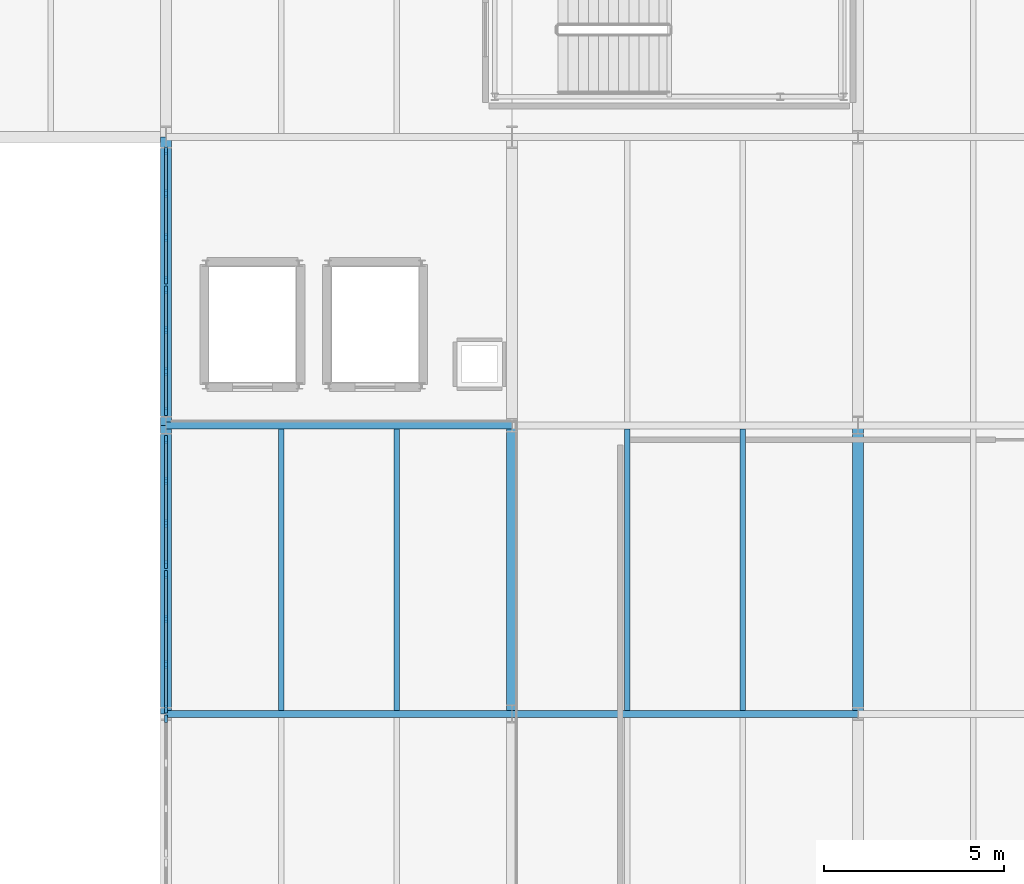
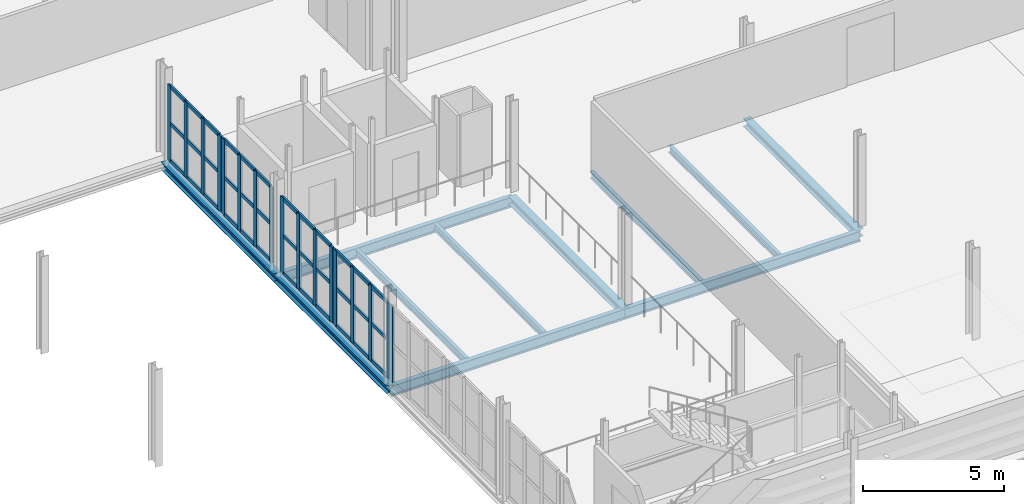
# One storey, part 36 of 78: 53 members, 11 beams, 5 elements without a shape of their own.
"""IFC4 building model written with IfcOpenShell, lengths in metres."""

from ifc_helpers import new_model, si_unit, direction, frame, origin, origin_2d, place, context, subcontext, project, spatial, rectangle, i_section, extrude, material, layer, layer_set, material_profile, profile_set, type_object, element, aggregate, save


model = new_model("IFC4")

# Units and contexts
model_context = context("Model", 3, precision=1e-05, world=origin(), true_north=direction((0.0, 1.0)))
body_context = subcontext(model_context, "Body", "Model", "MODEL_VIEW")
ifc_project = project(units=[si_unit("LENGTHUNIT", "METRE"), si_unit("AREAUNIT", "SQUARE_METRE"), si_unit("VOLUMEUNIT", "CUBIC_METRE"), si_unit("PLANEANGLEUNIT", "RADIAN"), si_unit("MASSUNIT", "GRAM", prefix="KILO")], contexts=[model_context])

# Site, building, storey
site_placement = place(None, origin())
site = spatial("IfcSite", under=ifc_project, at=site_placement, CompositionType="ELEMENT")
building_placement = place(site_placement, origin())
building = spatial("IfcBuilding", under=site, at=building_placement, Name="Alderhovde Museum", CompositionType="ELEMENT")
storey_placement = place(building_placement, frame((0.0, 0.0, 4.5)))
storey = spatial("IfcBuildingStorey", under=building, at=storey_placement, Name="L01", CompositionType="ELEMENT", Elevation=4.5)

# Beams
ifc_material_1 = material(Name="Steel S355J2", Category="steel")
ifc_material_profile_1 = material_profile(ifc_material_1, i_section(OverallWidth=0.300048828125, OverallDepth=0.330078125, WebThickness=0.009521484375, FlangeThickness=0.0166015625, FilletRadius=0.027099609375, at=origin_2d()), Name="HEA 340")
ifc_profile_set_1 = profile_set([ifc_material_profile_1], Name="Steel S355J2")
beam_type_1 = type_object("IfcBeamType", Name="BM-HEA340", PredefinedType="BEAM", material=ifc_profile_set_1)
for number, where, z_axis, x_axis, name in (
    (1, (19.199951171875, 64.0, -0.425048828125), (0.0, 1.0, 0.0), (-1.0, 0.0, 0.0), "L01 Grid Beam X=19.2 (64.0 TO 72.0)"),
    (2, (19.199951171875, 72.0, -0.425048828125), (0.0, 1.0, 0.0), (-1.0, 0.0, 0.0), "L01 Grid Beam X=19.2 (72.0 TO 80.0)"),
    (3, (28.800048828125, 64.0, -0.425048828125), (0.0, 1.0, 0.0), (-1.0, 0.0, 0.0), "L01 Grid Beam X=28.8 (64.0 TO 72.0)"),
    (4, (38.39990234375, 64.0, -0.425048828125), (0.0, 1.0, 0.0), (-1.0, 0.0, 0.0), "L01 Grid Beam X=38.4 (64.0 TO 72.0)"),
):
    element("IfcBeam", number, at=place(storey_placement, frame(where, z_axis=z_axis, x_axis=x_axis)), inside=storey, type_object=beam_type_1, Name=name, PredefinedType="BEAM", context=body_context, shape_type="SweptSolid", body=[
        extrude(i_section(OverallWidth=0.300048828125, OverallDepth=0.330078125, WebThickness=0.009521484375, FlangeThickness=0.0166015625, FilletRadius=0.027099609375, at=origin_2d()), origin(), (0.0, 0.0, 1.0), 8.0),
    ])
ifc_material_2 = material(Name="Steel S355J2", Category="steel")
ifc_material_profile_2 = material_profile(ifc_material_2, i_section(OverallWidth=0.18994140625, OverallDepth=0.449951171875, WebThickness=0.009521484375, FlangeThickness=0.0146484375, FilletRadius=0.02099609375, at=origin_2d()), Name="IPE 450")
ifc_profile_set_2 = profile_set([ifc_material_profile_2], Name="Steel S355J2")
beam_type_2 = type_object("IfcBeamType", Name="BM-IPE450", PredefinedType="BEAM", material=ifc_profile_set_2)
beam_1_placement = place(storey_placement, frame((19.199951171875, 64.0, -0.485107421875), z_axis=(1.0, 0.0, 0.0), x_axis=(0.0, 1.0, 0.0)))
element("IfcBeam", 5, at=beam_1_placement, inside=storey, type_object=beam_type_2, Name="L01 Grid Beam Y=64.0 (19.2 TO 28.8)", PredefinedType="BEAM", context=body_context, shape_type="SweptSolid", body=[
    extrude(i_section(OverallWidth=0.18994140625, OverallDepth=0.449951171875, WebThickness=0.009521484375, FlangeThickness=0.0146484375, FilletRadius=0.02099609375, at=origin_2d()), origin(), (0.0, 0.0, 1.0), 9.60009765625),
])
beam_2_placement = place(storey_placement, frame((28.800048828125, 64.0, -0.485107421875), z_axis=(1.0, 0.0, 0.0), x_axis=(0.0, 1.0, 0.0)))
element("IfcBeam", 6, at=beam_2_placement, inside=storey, type_object=beam_type_2, Name="L01 Grid Beam Y=64.0 (28.8 TO 38.4)", PredefinedType="BEAM", context=body_context, shape_type="SweptSolid", body=[
    extrude(i_section(OverallWidth=0.18994140625, OverallDepth=0.449951171875, WebThickness=0.009521484375, FlangeThickness=0.0146484375, FilletRadius=0.02099609375, at=origin_2d()), origin(), (0.0, 0.0, 1.0), 9.599853515625),
])
beam_3_placement = place(storey_placement, frame((19.199951171875, 72.0, -0.485107421875), z_axis=(1.0, 0.0, 0.0), x_axis=(0.0, 1.0, 0.0)))
element("IfcBeam", 7, at=beam_3_placement, inside=storey, type_object=beam_type_2, Name="L01 Grid Beam Y=72.0 (19.2 TO 28.8)", PredefinedType="BEAM", context=body_context, shape_type="SweptSolid", body=[
    extrude(i_section(OverallWidth=0.18994140625, OverallDepth=0.449951171875, WebThickness=0.009521484375, FlangeThickness=0.0146484375, FilletRadius=0.02099609375, at=origin_2d()), origin(), (0.0, 0.0, 1.0), 9.60009765625),
])

# Curtain wall, members
ifc_material_3 = material(Name="Triple-Glazed Bronze-Anodised Curtain Wall", Category="glass")
ifc_layer_1 = layer(ifc_material_3, 0.219970703125)
ifc_layer_set_1 = layer_set([ifc_layer_1], Name="Triple-Glazed Bronze-Anodised Curtain Wall")
curtain_wall_type_1 = type_object("IfcCurtainWallType", Name="CW-STIC-345x326", PredefinedType="USERDEFINED", material=ifc_layer_set_1)
curtain_wall_1_placement = place(storey_placement, origin())
curtain_wall_1 = element("IfcCurtainWall", 8, at=curtain_wall_1_placement, inside=storey, type_object=curtain_wall_type_1, Name="L01 Stick Curtain Wall 5", ObjectType="STICK CURTAIN WALL", PredefinedType="USERDEFINED")
ifc_material_4 = material(Name="Bronze-Anodised Aluminium EN AW-6063-T6", Category="aluminium")
ifc_material_profile_3 = material_profile(ifc_material_4, rectangle(XDim=0.074951171875, YDim=0.219970703125, at=origin_2d()), Name="MULLION 75x220")
ifc_profile_set_3 = profile_set([ifc_material_profile_3], Name="Bronze-Anodised Aluminium EN AW-6063-T6")
member_type_1 = type_object("IfcMemberType", Name="CWM-75x220", PredefinedType="MULLION", material=ifc_profile_set_3)
member_1_placement = place(storey_placement, frame((19.199951171875, 72.387451171875, 0.0), z_axis=(0.0, 0.0, 1.0), x_axis=(-1.0, 0.0, 0.0)))
member_1 = element("IfcMember", 9, at=member_1_placement, type_object=member_type_1, Name="CW03 mullion 1", PredefinedType="MULLION", context=body_context, shape_type="SweptSolid", body=[
    extrude(rectangle(XDim=0.074951171875, YDim=0.219970703125, at=origin_2d()), origin(), (0.0, 0.0, 1.0), 3.260009765625),
])
member_2_placement = place(storey_placement, frame((19.199951171875, 73.5, 0.0), z_axis=(0.0, 0.0, 1.0), x_axis=(-1.0, 0.0, 0.0)))
member_2 = element("IfcMember", 10, at=member_2_placement, type_object=member_type_1, Name="CW03 mullion 2", PredefinedType="MULLION", context=body_context, shape_type="SweptSolid", body=[
    extrude(rectangle(XDim=0.074951171875, YDim=0.219970703125, at=origin_2d()), origin(), (0.0, 0.0, 1.0), 3.260009765625),
])
member_3_placement = place(storey_placement, frame((19.199951171875, 74.64990234375, 0.0), z_axis=(0.0, 0.0, 1.0), x_axis=(-1.0, 0.0, 0.0)))
member_3 = element("IfcMember", 11, at=member_3_placement, type_object=member_type_1, Name="CW03 mullion 3", PredefinedType="MULLION", context=body_context, shape_type="SweptSolid", body=[
    extrude(rectangle(XDim=0.074951171875, YDim=0.219970703125, at=origin_2d()), origin(), (0.0, 0.0, 1.0), 3.260009765625),
])
member_4_placement = place(storey_placement, frame((19.199951171875, 75.762451171875, 0.0), z_axis=(0.0, 0.0, 1.0), x_axis=(-1.0, 0.0, 0.0)))
member_4 = element("IfcMember", 12, at=member_4_placement, type_object=member_type_1, Name="CW03 mullion 4", PredefinedType="MULLION", context=body_context, shape_type="SweptSolid", body=[
    extrude(rectangle(XDim=0.074951171875, YDim=0.219970703125, at=origin_2d()), origin(), (0.0, 0.0, 1.0), 3.260009765625),
])

ifc_material_5 = material(Name="Triple-Glazed Bronze-Anodised Curtain Wall", Category="glass")
ifc_layer_2 = layer(ifc_material_5, 0.219970703125)
ifc_layer_set_2 = layer_set([ifc_layer_2], Name="Triple-Glazed Bronze-Anodised Curtain Wall")
curtain_wall_type_2 = type_object("IfcCurtainWallType", Name="CW-STIC-365x326", PredefinedType="USERDEFINED", material=ifc_layer_set_2)
curtain_wall_2_placement = place(storey_placement, origin())
curtain_wall_2 = element("IfcCurtainWall", 13, at=curtain_wall_2_placement, inside=storey, type_object=curtain_wall_type_2, Name="L01 Stick Curtain Wall 6", ObjectType="STICK CURTAIN WALL", PredefinedType="USERDEFINED")
member_5_placement = place(storey_placement, frame((19.199951171875, 76.03759765625, 0.0), z_axis=(0.0, 0.0, 1.0), x_axis=(-1.0, 0.0, 0.0)))
member_5 = element("IfcMember", 14, at=member_5_placement, type_object=member_type_1, Name="CW04 mullion 1", PredefinedType="MULLION", context=body_context, shape_type="SweptSolid", body=[
    extrude(rectangle(XDim=0.074951171875, YDim=0.219970703125, at=origin_2d()), origin(), (0.0, 0.0, 1.0), 3.260009765625),
])
member_6_placement = place(storey_placement, frame((19.199951171875, 77.216552734375, 0.0), z_axis=(0.0, 0.0, 1.0), x_axis=(-1.0, 0.0, 0.0)))
member_6 = element("IfcMember", 15, at=member_6_placement, type_object=member_type_1, Name="CW04 mullion 2", PredefinedType="MULLION", context=body_context, shape_type="SweptSolid", body=[
    extrude(rectangle(XDim=0.074951171875, YDim=0.219970703125, at=origin_2d()), origin(), (0.0, 0.0, 1.0), 3.260009765625),
])
member_7_placement = place(storey_placement, frame((19.199951171875, 78.433349609375, 0.0), z_axis=(0.0, 0.0, 1.0), x_axis=(-1.0, 0.0, 0.0)))
member_7 = element("IfcMember", 16, at=member_7_placement, type_object=member_type_1, Name="CW04 mullion 3", PredefinedType="MULLION", context=body_context, shape_type="SweptSolid", body=[
    extrude(rectangle(XDim=0.074951171875, YDim=0.219970703125, at=origin_2d()), origin(), (0.0, 0.0, 1.0), 3.260009765625),
])
member_8_placement = place(storey_placement, frame((19.199951171875, 79.612548828125, 0.0), z_axis=(0.0, 0.0, 1.0), x_axis=(-1.0, 0.0, 0.0)))
member_8 = element("IfcMember", 17, at=member_8_placement, type_object=member_type_1, Name="CW04 mullion 4", PredefinedType="MULLION", context=body_context, shape_type="SweptSolid", body=[
    extrude(rectangle(XDim=0.074951171875, YDim=0.219970703125, at=origin_2d()), origin(), (0.0, 0.0, 1.0), 3.260009765625),
])

# Curtain wall, member
ifc_material_6 = material(Name="Triple-Glazed Bronze-Anodised Curtain Wall", Category="glass")
ifc_layer_3 = layer(ifc_material_6, 0.219970703125)
ifc_layer_set_3 = layer_set([ifc_layer_3], Name="Triple-Glazed Bronze-Anodised Curtain Wall")
curtain_wall_type_3 = type_object("IfcCurtainWallType", Name="CW-STIC-380x326", PredefinedType="USERDEFINED", material=ifc_layer_set_3)
curtain_wall_3_placement = place(storey_placement, origin())
curtain_wall_3 = element("IfcCurtainWall", 18, at=curtain_wall_3_placement, inside=storey, type_object=curtain_wall_type_3, Name="L01 Stick Curtain Wall 8", ObjectType="STICK CURTAIN WALL", PredefinedType="USERDEFINED")
member_9_placement = place(storey_placement, frame((19.199951171875, 63.862548828125, 0.0), z_axis=(0.0, 0.0, 1.0), x_axis=(-1.0, 0.0, 0.0)))
member_9 = element("IfcMember", 19, at=member_9_placement, type_object=member_type_1, Name="CW06 mullion 4", PredefinedType="MULLION", context=body_context, shape_type="SweptSolid", body=[
    extrude(rectangle(XDim=0.074951171875, YDim=0.219970703125, at=origin_2d()), origin(), (0.0, 0.0, 1.0), 3.260009765625),
])
aggregate(curtain_wall_3, [member_9])

# Curtain wall, members
curtain_wall_4_placement = place(storey_placement, origin())
curtain_wall_4 = element("IfcCurtainWall", 20, at=curtain_wall_4_placement, inside=storey, type_object=curtain_wall_type_3, Name="L01 Stick Curtain Wall 9", ObjectType="STICK CURTAIN WALL", PredefinedType="USERDEFINED")
member_10_placement = place(storey_placement, frame((19.199951171875, 64.137451171875, 0.0), z_axis=(0.0, 0.0, 1.0), x_axis=(-1.0, 0.0, 0.0)))
member_10 = element("IfcMember", 21, at=member_10_placement, type_object=member_type_1, Name="CW06 mullion 1", PredefinedType="MULLION", context=body_context, shape_type="SweptSolid", body=[
    extrude(rectangle(XDim=0.074951171875, YDim=0.219970703125, at=origin_2d()), origin(), (0.0, 0.0, 1.0), 3.260009765625),
])
member_11_placement = place(storey_placement, frame((19.199951171875, 65.36669921875, 0.0), z_axis=(0.0, 0.0, 1.0), x_axis=(-1.0, 0.0, 0.0)))
member_11 = element("IfcMember", 22, at=member_11_placement, type_object=member_type_1, Name="CW06 mullion 2", PredefinedType="MULLION", context=body_context, shape_type="SweptSolid", body=[
    extrude(rectangle(XDim=0.074951171875, YDim=0.219970703125, at=origin_2d()), origin(), (0.0, 0.0, 1.0), 3.260009765625),
])
member_12_placement = place(storey_placement, frame((19.199951171875, 66.63330078125, 0.0), z_axis=(0.0, 0.0, 1.0), x_axis=(-1.0, 0.0, 0.0)))
member_12 = element("IfcMember", 23, at=member_12_placement, type_object=member_type_1, Name="CW06 mullion 3", PredefinedType="MULLION", context=body_context, shape_type="SweptSolid", body=[
    extrude(rectangle(XDim=0.074951171875, YDim=0.219970703125, at=origin_2d()), origin(), (0.0, 0.0, 1.0), 3.260009765625),
])
member_13_placement = place(storey_placement, frame((19.199951171875, 67.862548828125, 0.0), z_axis=(0.0, 0.0, 1.0), x_axis=(-1.0, 0.0, 0.0)))
member_13 = element("IfcMember", 24, at=member_13_placement, type_object=member_type_1, Name="CW06 mullion 4", PredefinedType="MULLION", context=body_context, shape_type="SweptSolid", body=[
    extrude(rectangle(XDim=0.074951171875, YDim=0.219970703125, at=origin_2d()), origin(), (0.0, 0.0, 1.0), 3.260009765625),
])

ifc_material_7 = material(Name="Triple-Glazed Bronze-Anodised Curtain Wall", Category="glass")
ifc_layer_4 = layer(ifc_material_7, 0.219970703125)
ifc_layer_set_4 = layer_set([ifc_layer_4], Name="Triple-Glazed Bronze-Anodised Curtain Wall")
curtain_wall_type_4 = type_object("IfcCurtainWallType", Name="CW-STIC-355x326", PredefinedType="USERDEFINED", material=ifc_layer_set_4)
curtain_wall_5_placement = place(storey_placement, origin())
curtain_wall_5 = element("IfcCurtainWall", 25, at=curtain_wall_5_placement, inside=storey, type_object=curtain_wall_type_4, Name="L01 Stick Curtain Wall 10", ObjectType="STICK CURTAIN WALL", PredefinedType="USERDEFINED")
member_14_placement = place(storey_placement, frame((19.199951171875, 68.137451171875, 0.0), z_axis=(0.0, 0.0, 1.0), x_axis=(-1.0, 0.0, 0.0)))
member_14 = element("IfcMember", 26, at=member_14_placement, type_object=member_type_1, Name="CW05 mullion 1", PredefinedType="MULLION", context=body_context, shape_type="SweptSolid", body=[
    extrude(rectangle(XDim=0.074951171875, YDim=0.219970703125, at=origin_2d()), origin(), (0.0, 0.0, 1.0), 3.260009765625),
])
member_15_placement = place(storey_placement, frame((19.199951171875, 69.283447265625, 0.0), z_axis=(0.0, 0.0, 1.0), x_axis=(-1.0, 0.0, 0.0)))
member_15 = element("IfcMember", 27, at=member_15_placement, type_object=member_type_1, Name="CW05 mullion 2", PredefinedType="MULLION", context=body_context, shape_type="SweptSolid", body=[
    extrude(rectangle(XDim=0.074951171875, YDim=0.219970703125, at=origin_2d()), origin(), (0.0, 0.0, 1.0), 3.260009765625),
])
member_16_placement = place(storey_placement, frame((19.199951171875, 70.466552734375, 0.0), z_axis=(0.0, 0.0, 1.0), x_axis=(-1.0, 0.0, 0.0)))
member_16 = element("IfcMember", 28, at=member_16_placement, type_object=member_type_1, Name="CW05 mullion 3", PredefinedType="MULLION", context=body_context, shape_type="SweptSolid", body=[
    extrude(rectangle(XDim=0.074951171875, YDim=0.219970703125, at=origin_2d()), origin(), (0.0, 0.0, 1.0), 3.260009765625),
])
member_17_placement = place(storey_placement, frame((19.199951171875, 71.612548828125, 0.0), z_axis=(0.0, 0.0, 1.0), x_axis=(-1.0, 0.0, 0.0)))
member_17 = element("IfcMember", 29, at=member_17_placement, type_object=member_type_1, Name="CW05 mullion 4", PredefinedType="MULLION", context=body_context, shape_type="SweptSolid", body=[
    extrude(rectangle(XDim=0.074951171875, YDim=0.219970703125, at=origin_2d()), origin(), (0.0, 0.0, 1.0), 3.260009765625),
])

# Member
ifc_material_8 = material(Name="Bronze-Anodised Aluminium EN AW-6063-T6", Category="aluminium")
ifc_material_profile_4 = material_profile(ifc_material_8, rectangle(XDim=0.074951171875, YDim=0.159912109375, at=origin_2d()), Name="TRANSOM 75x160")
ifc_profile_set_4 = profile_set([ifc_material_profile_4], Name="Bronze-Anodised Aluminium EN AW-6063-T6")
member_type_2 = type_object("IfcMemberType", Name="CWT-75x160", PredefinedType="USERDEFINED", material=ifc_profile_set_4)
member_18_placement = place(storey_placement, frame((19.199951171875, 72.425048828125, 0.03759765625), z_axis=(0.0, 1.0, 0.0), x_axis=(-1.0, 0.0, 0.0)))
member_18 = element("IfcMember", 30, at=member_18_placement, type_object=member_type_2, Name="CW03 transom 1.1", ObjectType="TRANSOM", PredefinedType="USERDEFINED", context=body_context, shape_type="SweptSolid", body=[
    extrude(rectangle(XDim=0.074951171875, YDim=0.159912109375, at=origin_2d()), origin(), (0.0, 0.0, 1.0), 1.037353515625),
])

member_19_placement = place(storey_placement, frame((19.199951171875, 72.425048828125, 1.6298828125), z_axis=(0.0, 1.0, 0.0), x_axis=(-1.0, 0.0, 0.0)))
member_19 = element("IfcMember", 31, at=member_19_placement, type_object=member_type_2, Name="CW03 transom 1.2", ObjectType="TRANSOM", PredefinedType="USERDEFINED", context=body_context, shape_type="SweptSolid", body=[
    extrude(rectangle(XDim=0.074951171875, YDim=0.159912109375, at=origin_2d()), origin(), (0.0, 0.0, 1.0), 1.037353515625),
])

member_20_placement = place(storey_placement, frame((19.199951171875, 72.425048828125, 3.222412109375), z_axis=(0.0, 1.0, 0.0), x_axis=(-1.0, 0.0, 0.0)))
member_20 = element("IfcMember", 32, at=member_20_placement, type_object=member_type_2, Name="CW03 transom 1.3", ObjectType="TRANSOM", PredefinedType="USERDEFINED", context=body_context, shape_type="SweptSolid", body=[
    extrude(rectangle(XDim=0.074951171875, YDim=0.159912109375, at=origin_2d()), origin(), (0.0, 0.0, 1.0), 1.037353515625),
])

member_21_placement = place(storey_placement, frame((19.199951171875, 73.53759765625, 0.03759765625), z_axis=(0.0, 1.0, 0.0), x_axis=(-1.0, 0.0, 0.0)))
member_21 = element("IfcMember", 33, at=member_21_placement, type_object=member_type_2, Name="CW03 transom 2.1", ObjectType="TRANSOM", PredefinedType="USERDEFINED", context=body_context, shape_type="SweptSolid", body=[
    extrude(rectangle(XDim=0.074951171875, YDim=0.159912109375, at=origin_2d()), origin(), (0.0, 0.0, 1.0), 1.074951171875),
])

member_22_placement = place(storey_placement, frame((19.199951171875, 73.53759765625, 1.6298828125), z_axis=(0.0, 1.0, 0.0), x_axis=(-1.0, 0.0, 0.0)))
member_22 = element("IfcMember", 34, at=member_22_placement, type_object=member_type_2, Name="CW03 transom 2.2", ObjectType="TRANSOM", PredefinedType="USERDEFINED", context=body_context, shape_type="SweptSolid", body=[
    extrude(rectangle(XDim=0.074951171875, YDim=0.159912109375, at=origin_2d()), origin(), (0.0, 0.0, 1.0), 1.074951171875),
])

member_23_placement = place(storey_placement, frame((19.199951171875, 73.53759765625, 3.222412109375), z_axis=(0.0, 1.0, 0.0), x_axis=(-1.0, 0.0, 0.0)))
member_23 = element("IfcMember", 35, at=member_23_placement, type_object=member_type_2, Name="CW03 transom 2.3", ObjectType="TRANSOM", PredefinedType="USERDEFINED", context=body_context, shape_type="SweptSolid", body=[
    extrude(rectangle(XDim=0.074951171875, YDim=0.159912109375, at=origin_2d()), origin(), (0.0, 0.0, 1.0), 1.074951171875),
])

member_24_placement = place(storey_placement, frame((19.199951171875, 74.6875, 0.03759765625), z_axis=(0.0, 1.0, 0.0), x_axis=(-1.0, 0.0, 0.0)))
member_24 = element("IfcMember", 36, at=member_24_placement, type_object=member_type_2, Name="CW03 transom 3.1", ObjectType="TRANSOM", PredefinedType="USERDEFINED", context=body_context, shape_type="SweptSolid", body=[
    extrude(rectangle(XDim=0.074951171875, YDim=0.159912109375, at=origin_2d()), origin(), (0.0, 0.0, 1.0), 1.03759765625),
])

member_25_placement = place(storey_placement, frame((19.199951171875, 74.6875, 1.6298828125), z_axis=(0.0, 1.0, 0.0), x_axis=(-1.0, 0.0, 0.0)))
member_25 = element("IfcMember", 37, at=member_25_placement, type_object=member_type_2, Name="CW03 transom 3.2", ObjectType="TRANSOM", PredefinedType="USERDEFINED", context=body_context, shape_type="SweptSolid", body=[
    extrude(rectangle(XDim=0.074951171875, YDim=0.159912109375, at=origin_2d()), origin(), (0.0, 0.0, 1.0), 1.03759765625),
])

member_26_placement = place(storey_placement, frame((19.199951171875, 74.6875, 3.222412109375), z_axis=(0.0, 1.0, 0.0), x_axis=(-1.0, 0.0, 0.0)))
member_26 = element("IfcMember", 38, at=member_26_placement, type_object=member_type_2, Name="CW03 transom 3.3", ObjectType="TRANSOM", PredefinedType="USERDEFINED", context=body_context, shape_type="SweptSolid", body=[
    extrude(rectangle(XDim=0.074951171875, YDim=0.159912109375, at=origin_2d()), origin(), (0.0, 0.0, 1.0), 1.03759765625),
])

aggregate(curtain_wall_1, [member_1, member_2, member_3, member_4, member_18, member_19, member_20, member_21, member_22, member_23, member_24, member_25, member_26])

member_27_placement = place(storey_placement, frame((19.199951171875, 76.074951171875, 0.03759765625), z_axis=(0.0, 1.0, 0.0), x_axis=(-1.0, 0.0, 0.0)))
member_27 = element("IfcMember", 39, at=member_27_placement, type_object=member_type_2, Name="CW04 transom 1.1", ObjectType="TRANSOM", PredefinedType="USERDEFINED", context=body_context, shape_type="SweptSolid", body=[
    extrude(rectangle(XDim=0.074951171875, YDim=0.159912109375, at=origin_2d()), origin(), (0.0, 0.0, 1.0), 1.104248046875),
])

member_28_placement = place(storey_placement, frame((19.199951171875, 76.074951171875, 1.6298828125), z_axis=(0.0, 1.0, 0.0), x_axis=(-1.0, 0.0, 0.0)))
member_28 = element("IfcMember", 40, at=member_28_placement, type_object=member_type_2, Name="CW04 transom 1.2", ObjectType="TRANSOM", PredefinedType="USERDEFINED", context=body_context, shape_type="SweptSolid", body=[
    extrude(rectangle(XDim=0.074951171875, YDim=0.159912109375, at=origin_2d()), origin(), (0.0, 0.0, 1.0), 1.104248046875),
])

member_29_placement = place(storey_placement, frame((19.199951171875, 76.074951171875, 3.222412109375), z_axis=(0.0, 1.0, 0.0), x_axis=(-1.0, 0.0, 0.0)))
member_29 = element("IfcMember", 41, at=member_29_placement, type_object=member_type_2, Name="CW04 transom 1.3", ObjectType="TRANSOM", PredefinedType="USERDEFINED", context=body_context, shape_type="SweptSolid", body=[
    extrude(rectangle(XDim=0.074951171875, YDim=0.159912109375, at=origin_2d()), origin(), (0.0, 0.0, 1.0), 1.104248046875),
])

member_30_placement = place(storey_placement, frame((19.199951171875, 77.254150390625, 0.03759765625), z_axis=(0.0, 1.0, 0.0), x_axis=(-1.0, 0.0, 0.0)))
member_30 = element("IfcMember", 42, at=member_30_placement, type_object=member_type_2, Name="CW04 transom 2.1", ObjectType="TRANSOM", PredefinedType="USERDEFINED", context=body_context, shape_type="SweptSolid", body=[
    extrude(rectangle(XDim=0.074951171875, YDim=0.159912109375, at=origin_2d()), origin(), (0.0, 0.0, 1.0), 1.1416015625),
])

member_31_placement = place(storey_placement, frame((19.199951171875, 77.254150390625, 1.6298828125), z_axis=(0.0, 1.0, 0.0), x_axis=(-1.0, 0.0, 0.0)))
member_31 = element("IfcMember", 43, at=member_31_placement, type_object=member_type_2, Name="CW04 transom 2.2", ObjectType="TRANSOM", PredefinedType="USERDEFINED", context=body_context, shape_type="SweptSolid", body=[
    extrude(rectangle(XDim=0.074951171875, YDim=0.159912109375, at=origin_2d()), origin(), (0.0, 0.0, 1.0), 1.1416015625),
])

member_32_placement = place(storey_placement, frame((19.199951171875, 77.254150390625, 3.222412109375), z_axis=(0.0, 1.0, 0.0), x_axis=(-1.0, 0.0, 0.0)))
member_32 = element("IfcMember", 44, at=member_32_placement, type_object=member_type_2, Name="CW04 transom 2.3", ObjectType="TRANSOM", PredefinedType="USERDEFINED", context=body_context, shape_type="SweptSolid", body=[
    extrude(rectangle(XDim=0.074951171875, YDim=0.159912109375, at=origin_2d()), origin(), (0.0, 0.0, 1.0), 1.1416015625),
])

member_33_placement = place(storey_placement, frame((19.199951171875, 78.470947265625, 0.03759765625), z_axis=(0.0, 1.0, 0.0), x_axis=(-1.0, 0.0, 0.0)))
member_33 = element("IfcMember", 45, at=member_33_placement, type_object=member_type_2, Name="CW04 transom 3.1", ObjectType="TRANSOM", PredefinedType="USERDEFINED", context=body_context, shape_type="SweptSolid", body=[
    extrude(rectangle(XDim=0.074951171875, YDim=0.159912109375, at=origin_2d()), origin(), (0.0, 0.0, 1.0), 1.10400390625),
])

member_34_placement = place(storey_placement, frame((19.199951171875, 78.470947265625, 1.6298828125), z_axis=(0.0, 1.0, 0.0), x_axis=(-1.0, 0.0, 0.0)))
member_34 = element("IfcMember", 46, at=member_34_placement, type_object=member_type_2, Name="CW04 transom 3.2", ObjectType="TRANSOM", PredefinedType="USERDEFINED", context=body_context, shape_type="SweptSolid", body=[
    extrude(rectangle(XDim=0.074951171875, YDim=0.159912109375, at=origin_2d()), origin(), (0.0, 0.0, 1.0), 1.10400390625),
])

member_35_placement = place(storey_placement, frame((19.199951171875, 78.470947265625, 3.222412109375), z_axis=(0.0, 1.0, 0.0), x_axis=(-1.0, 0.0, 0.0)))
member_35 = element("IfcMember", 47, at=member_35_placement, type_object=member_type_2, Name="CW04 transom 3.3", ObjectType="TRANSOM", PredefinedType="USERDEFINED", context=body_context, shape_type="SweptSolid", body=[
    extrude(rectangle(XDim=0.074951171875, YDim=0.159912109375, at=origin_2d()), origin(), (0.0, 0.0, 1.0), 1.10400390625),
])

aggregate(curtain_wall_2, [member_5, member_6, member_7, member_8, member_27, member_28, member_29, member_30, member_31, member_32, member_33, member_34, member_35])

member_36_placement = place(storey_placement, frame((19.199951171875, 64.175048828125, 0.03759765625), z_axis=(0.0, 1.0, 0.0), x_axis=(-1.0, 0.0, 0.0)))
member_36 = element("IfcMember", 48, at=member_36_placement, type_object=member_type_2, Name="CW06 transom 1.1", ObjectType="TRANSOM", PredefinedType="USERDEFINED", context=body_context, shape_type="SweptSolid", body=[
    extrude(rectangle(XDim=0.074951171875, YDim=0.159912109375, at=origin_2d()), origin(), (0.0, 0.0, 1.0), 1.154052734375),
])

member_37_placement = place(storey_placement, frame((19.199951171875, 64.175048828125, 1.6298828125), z_axis=(0.0, 1.0, 0.0), x_axis=(-1.0, 0.0, 0.0)))
member_37 = element("IfcMember", 49, at=member_37_placement, type_object=member_type_2, Name="CW06 transom 1.2", ObjectType="TRANSOM", PredefinedType="USERDEFINED", context=body_context, shape_type="SweptSolid", body=[
    extrude(rectangle(XDim=0.074951171875, YDim=0.159912109375, at=origin_2d()), origin(), (0.0, 0.0, 1.0), 1.154052734375),
])

member_38_placement = place(storey_placement, frame((19.199951171875, 64.175048828125, 3.222412109375), z_axis=(0.0, 1.0, 0.0), x_axis=(-1.0, 0.0, 0.0)))
member_38 = element("IfcMember", 50, at=member_38_placement, type_object=member_type_2, Name="CW06 transom 1.3", ObjectType="TRANSOM", PredefinedType="USERDEFINED", context=body_context, shape_type="SweptSolid", body=[
    extrude(rectangle(XDim=0.074951171875, YDim=0.159912109375, at=origin_2d()), origin(), (0.0, 0.0, 1.0), 1.154052734375),
])

member_39_placement = place(storey_placement, frame((19.199951171875, 65.404052734375, 0.03759765625), z_axis=(0.0, 1.0, 0.0), x_axis=(-1.0, 0.0, 0.0)))
member_39 = element("IfcMember", 51, at=member_39_placement, type_object=member_type_2, Name="CW06 transom 2.1", ObjectType="TRANSOM", PredefinedType="USERDEFINED", context=body_context, shape_type="SweptSolid", body=[
    extrude(rectangle(XDim=0.074951171875, YDim=0.159912109375, at=origin_2d()), origin(), (0.0, 0.0, 1.0), 1.19189453125),
])

member_40_placement = place(storey_placement, frame((19.199951171875, 65.404052734375, 1.6298828125), z_axis=(0.0, 1.0, 0.0), x_axis=(-1.0, 0.0, 0.0)))
member_40 = element("IfcMember", 52, at=member_40_placement, type_object=member_type_2, Name="CW06 transom 2.2", ObjectType="TRANSOM", PredefinedType="USERDEFINED", context=body_context, shape_type="SweptSolid", body=[
    extrude(rectangle(XDim=0.074951171875, YDim=0.159912109375, at=origin_2d()), origin(), (0.0, 0.0, 1.0), 1.19189453125),
])

member_41_placement = place(storey_placement, frame((19.199951171875, 65.404052734375, 3.222412109375), z_axis=(0.0, 1.0, 0.0), x_axis=(-1.0, 0.0, 0.0)))
member_41 = element("IfcMember", 53, at=member_41_placement, type_object=member_type_2, Name="CW06 transom 2.3", ObjectType="TRANSOM", PredefinedType="USERDEFINED", context=body_context, shape_type="SweptSolid", body=[
    extrude(rectangle(XDim=0.074951171875, YDim=0.159912109375, at=origin_2d()), origin(), (0.0, 0.0, 1.0), 1.19189453125),
])

member_42_placement = place(storey_placement, frame((19.199951171875, 66.6708984375, 0.03759765625), z_axis=(0.0, 1.0, 0.0), x_axis=(-1.0, 0.0, 0.0)))
member_42 = element("IfcMember", 54, at=member_42_placement, type_object=member_type_2, Name="CW06 transom 3.1", ObjectType="TRANSOM", PredefinedType="USERDEFINED", context=body_context, shape_type="SweptSolid", body=[
    extrude(rectangle(XDim=0.074951171875, YDim=0.159912109375, at=origin_2d()), origin(), (0.0, 0.0, 1.0), 1.154052734375),
])

member_43_placement = place(storey_placement, frame((19.199951171875, 66.6708984375, 1.6298828125), z_axis=(0.0, 1.0, 0.0), x_axis=(-1.0, 0.0, 0.0)))
member_43 = element("IfcMember", 55, at=member_43_placement, type_object=member_type_2, Name="CW06 transom 3.2", ObjectType="TRANSOM", PredefinedType="USERDEFINED", context=body_context, shape_type="SweptSolid", body=[
    extrude(rectangle(XDim=0.074951171875, YDim=0.159912109375, at=origin_2d()), origin(), (0.0, 0.0, 1.0), 1.154052734375),
])

member_44_placement = place(storey_placement, frame((19.199951171875, 66.6708984375, 3.222412109375), z_axis=(0.0, 1.0, 0.0), x_axis=(-1.0, 0.0, 0.0)))
member_44 = element("IfcMember", 56, at=member_44_placement, type_object=member_type_2, Name="CW06 transom 3.3", ObjectType="TRANSOM", PredefinedType="USERDEFINED", context=body_context, shape_type="SweptSolid", body=[
    extrude(rectangle(XDim=0.074951171875, YDim=0.159912109375, at=origin_2d()), origin(), (0.0, 0.0, 1.0), 1.154052734375),
])

aggregate(curtain_wall_4, [member_10, member_11, member_12, member_13, member_36, member_37, member_38, member_39, member_40, member_41, member_42, member_43, member_44])

member_45_placement = place(storey_placement, frame((19.199951171875, 68.175048828125, 0.03759765625), z_axis=(0.0, 1.0, 0.0), x_axis=(-1.0, 0.0, 0.0)))
member_45 = element("IfcMember", 57, at=member_45_placement, type_object=member_type_2, Name="CW05 transom 1.1", ObjectType="TRANSOM", PredefinedType="USERDEFINED", context=body_context, shape_type="SweptSolid", body=[
    extrude(rectangle(XDim=0.074951171875, YDim=0.159912109375, at=origin_2d()), origin(), (0.0, 0.0, 1.0), 1.07080078125),
])

member_46_placement = place(storey_placement, frame((19.199951171875, 68.175048828125, 1.6298828125), z_axis=(0.0, 1.0, 0.0), x_axis=(-1.0, 0.0, 0.0)))
member_46 = element("IfcMember", 58, at=member_46_placement, type_object=member_type_2, Name="CW05 transom 1.2", ObjectType="TRANSOM", PredefinedType="USERDEFINED", context=body_context, shape_type="SweptSolid", body=[
    extrude(rectangle(XDim=0.074951171875, YDim=0.159912109375, at=origin_2d()), origin(), (0.0, 0.0, 1.0), 1.07080078125),
])

member_47_placement = place(storey_placement, frame((19.199951171875, 68.175048828125, 3.222412109375), z_axis=(0.0, 1.0, 0.0), x_axis=(-1.0, 0.0, 0.0)))
member_47 = element("IfcMember", 59, at=member_47_placement, type_object=member_type_2, Name="CW05 transom 1.3", ObjectType="TRANSOM", PredefinedType="USERDEFINED", context=body_context, shape_type="SweptSolid", body=[
    extrude(rectangle(XDim=0.074951171875, YDim=0.159912109375, at=origin_2d()), origin(), (0.0, 0.0, 1.0), 1.07080078125),
])

member_48_placement = place(storey_placement, frame((19.199951171875, 69.32080078125, 0.03759765625), z_axis=(0.0, 1.0, 0.0), x_axis=(-1.0, 0.0, 0.0)))
member_48 = element("IfcMember", 60, at=member_48_placement, type_object=member_type_2, Name="CW05 transom 2.1", ObjectType="TRANSOM", PredefinedType="USERDEFINED", context=body_context, shape_type="SweptSolid", body=[
    extrude(rectangle(XDim=0.074951171875, YDim=0.159912109375, at=origin_2d()), origin(), (0.0, 0.0, 1.0), 1.1083984375),
])

member_49_placement = place(storey_placement, frame((19.199951171875, 69.32080078125, 1.6298828125), z_axis=(0.0, 1.0, 0.0), x_axis=(-1.0, 0.0, 0.0)))
member_49 = element("IfcMember", 61, at=member_49_placement, type_object=member_type_2, Name="CW05 transom 2.2", ObjectType="TRANSOM", PredefinedType="USERDEFINED", context=body_context, shape_type="SweptSolid", body=[
    extrude(rectangle(XDim=0.074951171875, YDim=0.159912109375, at=origin_2d()), origin(), (0.0, 0.0, 1.0), 1.1083984375),
])

member_50_placement = place(storey_placement, frame((19.199951171875, 69.32080078125, 3.222412109375), z_axis=(0.0, 1.0, 0.0), x_axis=(-1.0, 0.0, 0.0)))
member_50 = element("IfcMember", 62, at=member_50_placement, type_object=member_type_2, Name="CW05 transom 2.3", ObjectType="TRANSOM", PredefinedType="USERDEFINED", context=body_context, shape_type="SweptSolid", body=[
    extrude(rectangle(XDim=0.074951171875, YDim=0.159912109375, at=origin_2d()), origin(), (0.0, 0.0, 1.0), 1.1083984375),
])

member_51_placement = place(storey_placement, frame((19.199951171875, 70.504150390625, 0.03759765625), z_axis=(0.0, 1.0, 0.0), x_axis=(-1.0, 0.0, 0.0)))
member_51 = element("IfcMember", 63, at=member_51_placement, type_object=member_type_2, Name="CW05 transom 3.1", ObjectType="TRANSOM", PredefinedType="USERDEFINED", context=body_context, shape_type="SweptSolid", body=[
    extrude(rectangle(XDim=0.074951171875, YDim=0.159912109375, at=origin_2d()), origin(), (0.0, 0.0, 1.0), 1.07080078125),
])

member_52_placement = place(storey_placement, frame((19.199951171875, 70.504150390625, 1.6298828125), z_axis=(0.0, 1.0, 0.0), x_axis=(-1.0, 0.0, 0.0)))
member_52 = element("IfcMember", 64, at=member_52_placement, type_object=member_type_2, Name="CW05 transom 3.2", ObjectType="TRANSOM", PredefinedType="USERDEFINED", context=body_context, shape_type="SweptSolid", body=[
    extrude(rectangle(XDim=0.074951171875, YDim=0.159912109375, at=origin_2d()), origin(), (0.0, 0.0, 1.0), 1.07080078125),
])

member_53_placement = place(storey_placement, frame((19.199951171875, 70.504150390625, 3.222412109375), z_axis=(0.0, 1.0, 0.0), x_axis=(-1.0, 0.0, 0.0)))
member_53 = element("IfcMember", 65, at=member_53_placement, type_object=member_type_2, Name="CW05 transom 3.3", ObjectType="TRANSOM", PredefinedType="USERDEFINED", context=body_context, shape_type="SweptSolid", body=[
    extrude(rectangle(XDim=0.074951171875, YDim=0.159912109375, at=origin_2d()), origin(), (0.0, 0.0, 1.0), 1.07080078125),
])

aggregate(curtain_wall_5, [member_14, member_15, member_16, member_17, member_45, member_46, member_47, member_48, member_49, member_50, member_51, member_52, member_53])

# Beams
ifc_material_9 = material(Name="Steel S355J2", Category="steel")
ifc_material_profile_5 = material_profile(ifc_material_9, i_section(OverallWidth=0.14990234375, OverallDepth=0.300048828125, WebThickness=0.007080078125, FlangeThickness=0.0107421875, FilletRadius=0.014892578125, at=origin_2d()), Name="IPE 300")
ifc_profile_set_5 = profile_set([ifc_material_profile_5], Name="Steel S355J2")
beam_type_3 = type_object("IfcBeamType", Name="JST-IPE300", PredefinedType="JOIST", material=ifc_profile_set_5)
for number, where, z_axis, x_axis, name in (
    (66, (22.39990234375, 64.094970703125, -0.409912109375), (0.0, 1.0, 0.0), (-1.0, 0.0, 0.0), "L01 Composite Joist X=22.4 (64.0 TO 72.0)"),
    (67, (25.60009765625, 64.094970703125, -0.409912109375), (0.0, 1.0, 0.0), (-1.0, 0.0, 0.0), "L01 Composite Joist X=25.6 (64.0 TO 72.0)"),
    (68, (32.0, 64.094970703125, -0.409912109375), (0.0, 1.0, 0.0), (-1.0, 0.0, 0.0), "L01 Composite Joist X=32.0 (64.0 TO 72.0)"),
    (69, (35.199951171875, 64.094970703125, -0.409912109375), (0.0, 1.0, 0.0), (-1.0, 0.0, 0.0), "L01 Composite Joist X=35.2 (64.0 TO 72.0)"),
):
    element("IfcBeam", number, at=place(storey_placement, frame(where, z_axis=z_axis, x_axis=x_axis)), inside=storey, type_object=beam_type_3, Name=name, PredefinedType="JOIST", context=body_context, shape_type="SweptSolid", body=[
        extrude(i_section(OverallWidth=0.14990234375, OverallDepth=0.300048828125, WebThickness=0.007080078125, FlangeThickness=0.0107421875, FilletRadius=0.014892578125, at=origin_2d()), origin(), (0.0, 0.0, 1.0), 7.81005859375),
    ])

save(model, "model.ifc")
